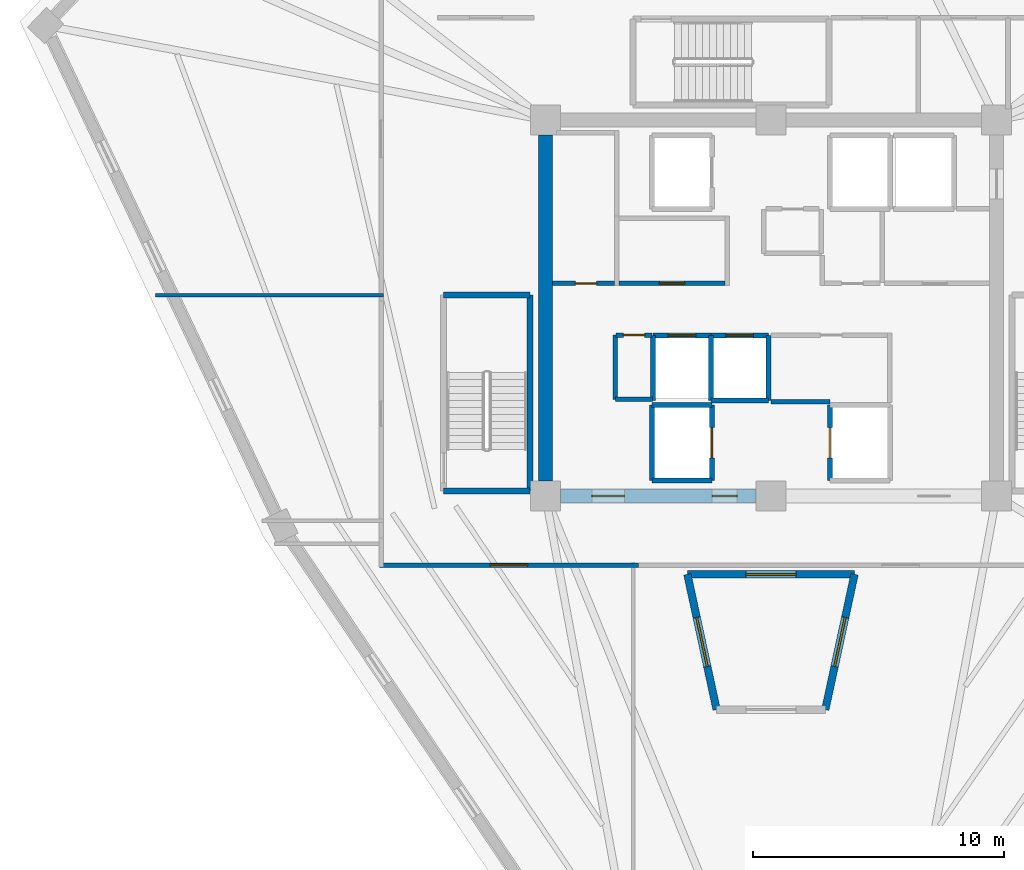
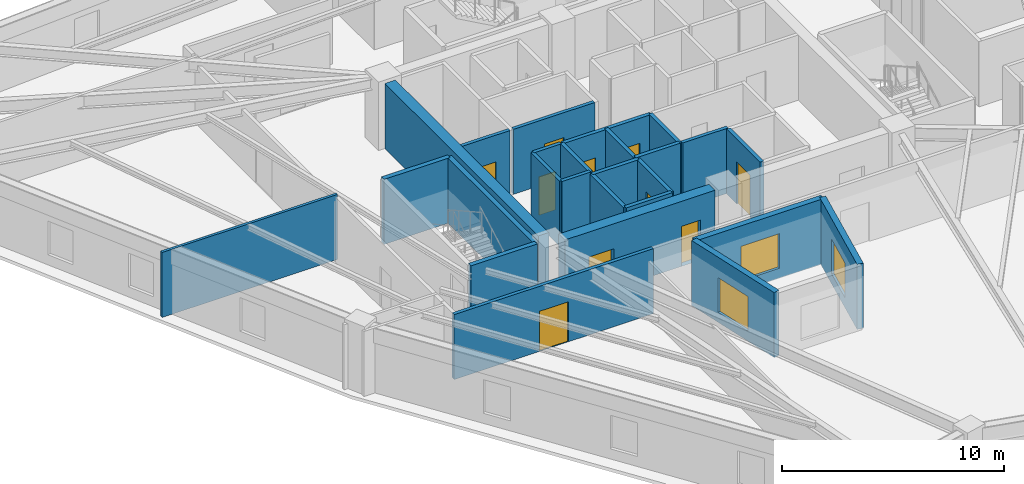
# One storey, part 3 of 10: 27 walls, 10 doors, 3 windows, 13 openings.
"""IFC4 building model written with IfcOpenShell, lengths in metres."""

from ifc_helpers import new_model, si_unit, direction, frame, frame_2d, origin, place, context, subcontext, project, spatial, rectangle, extrude, source, transform, mapped, material, layer, layer_set, type_object, element, fill, save


model = new_model("IFC4")

# Units and contexts
model_context = context("Model", 3, precision=1e-05, world=origin(), true_north=direction((0.0, 1.0)))
body_context = subcontext(model_context, "Body", "Model", "MODEL_VIEW")
ifc_project = project(units=[si_unit("LENGTHUNIT", "METRE"), si_unit("AREAUNIT", "SQUARE_METRE"), si_unit("VOLUMEUNIT", "CUBIC_METRE"), si_unit("PLANEANGLEUNIT", "RADIAN"), si_unit("MASSUNIT", "GRAM", prefix="KILO")], contexts=[model_context])

# Site, building, storey
site_placement = place(None, origin())
site = spatial("IfcSite", under=ifc_project, at=site_placement, CompositionType="ELEMENT")
building_placement = place(site_placement, origin())
building = spatial("IfcBuilding", under=site, at=building_placement, Name="Liaohun Quay Tower", CompositionType="ELEMENT")
storey_placement = place(building_placement, frame((0.0, 0.0, 339.75)))
storey = spatial("IfcBuildingStorey", under=building, at=storey_placement, Name="L88", CompositionType="ELEMENT", Elevation=339.75)

# Wall, opening, window
ifc_material_1 = material(Name="Concrete C50", Category="concrete")
ifc_layer_1 = layer(ifc_material_1, 0.300048828125, Name="Concrete C50", Category="concrete")
ifc_layer_set_1 = layer_set([ifc_layer_1], Name="Concrete C50")
wall_type_1 = type_object("IfcWallType", Name="WAL-ATR-300", PredefinedType="SOLIDWALL", material=ifc_layer_set_1)
wall_1_placement = place(storey_placement, frame((57.83203125, 37.970947265625, 0.0), z_axis=(0.0, 0.0, 1.0), x_axis=(-0.211433211418, 0.977392447848, 0.0)))
wall_1 = element("IfcWall", 1, at=wall_1_placement, inside=storey, type_object=wall_type_1, Name="L88 Atrium Fire Compartment Wall 1", PredefinedType="SOLIDWALL", context=body_context, shape_type="SweptSolid", body=[
    extrude(rectangle(XDim=5.524169921875, YDim=0.300048828125, at=frame_2d((2.76220703125, 0.0))), origin(), (0.0, 0.0, 1.0), 3.570068359375),
])
shared_shape_1 = source(origin(), body_context, "Body", "SweptSolid", [
    extrude(rectangle(XDim=2.0, YDim=1.89990234375, at=frame_2d((1.0, 0.949951171875))), frame((0.0, 0.159912109375, 0.0), z_axis=(0.0, -1.0, 0.0), x_axis=(1.0, 0.0, 0.0)), (0.0, 0.0, 1.0), 0.320068359375),
])
opening_1_placement = place(wall_1_placement, frame((1.761962890625, 0.0, 0.550048828125)))
opening_1 = element("IfcOpeningElement", 2, at=opening_1_placement, cuts=wall_1, Name="Opening W07", PredefinedType="OPENING", context=body_context, shape_type="MappedRepresentation", body=[
    mapped(shared_shape_1, transform((0.0, 0.0, 0.0), x_axis=(1.0, 0.0, 0.0), y_axis=(0.0, 1.0, 0.0), z_axis=(0.0, 0.0, 1.0), scale=1.0)),
])
ifc_material_2 = material(Name="Class A 180-min fire-resistant insulated glazing", Category="glass")
window_type = type_object("IfcWindowType", Name="WIN-ATR-FIR", PartitioningType="DOUBLE_PANEL_VERTICAL", PredefinedType="WINDOW", material=ifc_material_2)
shared_shape_2 = source(origin(), body_context, "Body", "SweptSolid", [
    extrude(rectangle(XDim=2.0, YDim=1.89990234375, at=frame_2d((1.0, 0.949951171875))), frame((0.0, 0.030029296875, 0.0), z_axis=(0.0, -1.0, 0.0), x_axis=(1.0, 0.0, 0.0)), (0.0, 0.0, 1.0), 0.06005859375),
])
window_1_placement = place(opening_1_placement, origin())
window_1 = element("IfcWindow", 3, at=window_1_placement, inside=storey, type_object=window_type, Name="L88 Atrium Fire-Resistant Glazing W07-1", OverallHeight=1.89990234375, OverallWidth=2.0, PartitioningType="DOUBLE_PANEL_VERTICAL", PredefinedType="WINDOW", context=body_context, shape_type="MappedRepresentation", body=[
    mapped(shared_shape_2, transform((0.0, 0.0, 0.0), x_axis=(1.0, 0.0, 0.0), y_axis=(0.0, 1.0, 0.0), z_axis=(0.0, 0.0, 1.0), scale=1.0)),
])
fill(opening_1, window_1)

wall_2_placement = place(storey_placement, frame((56.6640625, 43.3701171875, 0.0), z_axis=(0.0, 0.0, 1.0), x_axis=(1.0, 0.0, 0.0)))
wall_2 = element("IfcWall", 4, at=wall_2_placement, inside=storey, type_object=wall_type_1, Name="L88 Atrium Fire Compartment Wall 2", PredefinedType="SOLIDWALL", context=body_context, shape_type="SweptSolid", body=[
    extrude(rectangle(XDim=6.671875, YDim=0.300048828125, at=frame_2d((3.3359375, 0.0))), origin(), (0.0, 0.0, 1.0), 3.570068359375),
])
opening_2_placement = place(wall_2_placement, frame((2.3359375, 0.0, 0.550048828125)))
opening_2 = element("IfcOpeningElement", 5, at=opening_2_placement, cuts=wall_2, Name="Opening W07", PredefinedType="OPENING", context=body_context, shape_type="MappedRepresentation", body=[
    mapped(shared_shape_1, transform((0.0, 0.0, 0.0), x_axis=(1.0, 0.0, 0.0), y_axis=(0.0, 1.0, 0.0), z_axis=(0.0, 0.0, 1.0), scale=1.0)),
])
window_2_placement = place(opening_2_placement, origin())
window_2 = element("IfcWindow", 6, at=window_2_placement, inside=storey, type_object=window_type, Name="L88 Atrium Fire-Resistant Glazing W07-2", OverallHeight=1.89990234375, OverallWidth=2.0, PartitioningType="DOUBLE_PANEL_VERTICAL", PredefinedType="WINDOW", context=body_context, shape_type="MappedRepresentation", body=[
    mapped(shared_shape_2, transform((0.0, 0.0, 0.0), x_axis=(1.0, 0.0, 0.0), y_axis=(0.0, 1.0, 0.0), z_axis=(0.0, 0.0, 1.0), scale=1.0)),
])
fill(opening_2, window_2)

wall_3_placement = place(storey_placement, frame((63.3359375, 43.3701171875, 0.0), z_axis=(0.0, 0.0, 1.0), x_axis=(-0.211433211418, -0.977392447848, 0.0)))
wall_3 = element("IfcWall", 7, at=wall_3_placement, inside=storey, type_object=wall_type_1, Name="L88 Atrium Fire Compartment Wall 3", PredefinedType="SOLIDWALL", context=body_context, shape_type="SweptSolid", body=[
    extrude(rectangle(XDim=5.524169921875, YDim=0.300048828125, at=frame_2d((2.76220703125, 0.0))), origin(), (0.0, 0.0, 1.0), 3.570068359375),
])
opening_3_placement = place(wall_3_placement, frame((1.761962890625, 0.0, 0.550048828125)))
opening_3 = element("IfcOpeningElement", 8, at=opening_3_placement, cuts=wall_3, Name="Opening W07", PredefinedType="OPENING", context=body_context, shape_type="MappedRepresentation", body=[
    mapped(shared_shape_1, transform((0.0, 0.0, 0.0), x_axis=(1.0, 0.0, 0.0), y_axis=(0.0, 1.0, 0.0), z_axis=(0.0, 0.0, 1.0), scale=1.0)),
])
window_3_placement = place(opening_3_placement, origin())
window_3 = element("IfcWindow", 9, at=window_3_placement, inside=storey, type_object=window_type, Name="L88 Atrium Fire-Resistant Glazing W07-3", OverallHeight=1.89990234375, OverallWidth=2.0, PartitioningType="DOUBLE_PANEL_VERTICAL", PredefinedType="WINDOW", context=body_context, shape_type="MappedRepresentation", body=[
    mapped(shared_shape_2, transform((0.0, 0.0, 0.0), x_axis=(1.0, 0.0, 0.0), y_axis=(0.0, 1.0, 0.0), z_axis=(0.0, 0.0, 1.0), scale=1.0)),
])
fill(opening_3, window_3)

# Wall, openings, doors
ifc_layer_2 = layer(ifc_material_1, 0.550048828125, Name="Concrete C50", Category="concrete")
ifc_layer_set_2 = layer_set([ifc_layer_2], Name="Concrete C50")
wall_type_2 = type_object("IfcWallType", Name="WAL-COR-Z4", PredefinedType="SHEAR", material=ifc_layer_set_2)
wall_4_placement = place(storey_placement, frame((59.39990234375, 46.5, 0.0), z_axis=(0.0, 0.0, 1.0), x_axis=(-1.0, 0.0, 0.0)))
wall_4 = element("IfcWall", 10, at=wall_4_placement, inside=storey, type_object=wall_type_2, Name="L88 Central Core Shear Wall S-W", PredefinedType="SHEAR", context=body_context, shape_type="SweptSolid", body=[
    extrude(rectangle(XDim=7.7998046875, YDim=0.550048828125, at=frame_2d((3.89990234375, 0.0))), origin(), (0.0, 0.0, 1.0), 3.570068359375),
])
shared_shape_3 = source(origin(), body_context, "Body", "SweptSolid", [
    extrude(rectangle(XDim=1.300048828125, YDim=2.199951171875, at=frame_2d((0.64990234375, 1.10009765625))), frame((0.0, 0.284912109375, 0.0), z_axis=(0.0, -1.0, 0.0), x_axis=(1.0, 0.0, 0.0)), (0.0, 0.0, 1.0), 0.570068359375),
])
opening_4_placement = place(wall_4_placement, frame((5.25, 0.0, 0.0)))
opening_4 = element("IfcOpeningElement", 11, at=opening_4_placement, cuts=wall_4, Name="Opening FD1", PredefinedType="OPENING", context=body_context, shape_type="MappedRepresentation", body=[
    mapped(shared_shape_3, transform((0.0, 0.0, 0.0), x_axis=(1.0, 0.0, 0.0), y_axis=(0.0, 1.0, 0.0), z_axis=(0.0, 0.0, 1.0), scale=1.0)),
])
shared_shape_4 = source(origin(), body_context, "Body", "SweptSolid", [
    extrude(rectangle(XDim=1.0, YDim=2.199951171875, at=frame_2d((0.5, 1.10009765625))), frame((0.0, 0.284912109375, 0.0), z_axis=(0.0, -1.0, 0.0), x_axis=(1.0, 0.0, 0.0)), (0.0, 0.0, 1.0), 0.570068359375),
])
opening_5_placement = place(wall_4_placement, frame((0.75, 0.0, 0.0)))
opening_5 = element("IfcOpeningElement", 12, at=opening_5_placement, cuts=wall_4, Name="Opening FD2", PredefinedType="OPENING", context=body_context, shape_type="MappedRepresentation", body=[
    mapped(shared_shape_4, transform((0.0, 0.0, 0.0), x_axis=(1.0, 0.0, 0.0), y_axis=(0.0, 1.0, 0.0), z_axis=(0.0, 0.0, 1.0), scale=1.0)),
])
ifc_material_3 = material(Name="Galvanised steel smokeproof fire door", Category="steel")
door_type_1 = type_object("IfcDoorType", Name="DOR-FFL-1300", OperationType="NOTDEFINED", PredefinedType="DOOR", material=ifc_material_3)
shared_shape_5 = source(origin(), body_context, "Body", "SweptSolid", [
    extrude(rectangle(XDim=1.300048828125, YDim=2.199951171875, at=frame_2d((0.64990234375, 1.10009765625))), frame((0.0, 0.02490234375, 0.0), z_axis=(0.0, -1.0, 0.0), x_axis=(1.0, 0.0, 0.0)), (0.0, 0.0, 1.0), 0.050048828125),
])
door_1_placement = place(opening_4_placement, origin())
door_1 = element("IfcDoor", 13, at=door_1_placement, inside=storey, type_object=door_type_1, Name="L88 West Core Lift Lobby Smokeproof Door", OperationType="SINGLE_SWING_RIGHT", OverallHeight=2.199951171875, OverallWidth=1.300048828125, PredefinedType="DOOR", context=body_context, shape_type="MappedRepresentation", body=[
    mapped(shared_shape_5, transform((0.0, 0.0, 0.0), x_axis=(1.0, 0.0, 0.0), y_axis=(0.0, 1.0, 0.0), z_axis=(0.0, 0.0, 1.0), scale=1.0)),
])
fill(opening_4, door_1)
ifc_material_4 = material(Name="Galvanised steel smokeproof lobby fire door", Category="steel")
door_type_2 = type_object("IfcDoorType", Name="DOR-FFL-1000", OperationType="NOTDEFINED", PredefinedType="DOOR", material=ifc_material_4)
shared_shape_6 = source(origin(), body_context, "Body", "SweptSolid", [
    extrude(rectangle(XDim=1.0, YDim=2.199951171875, at=frame_2d((0.5, 1.10009765625))), frame((0.0, 0.02490234375, 0.0), z_axis=(0.0, -1.0, 0.0), x_axis=(1.0, 0.0, 0.0)), (0.0, 0.0, 1.0), 0.050048828125),
])
door_2_placement = place(opening_5_placement, origin())
door_2 = element("IfcDoor", 14, at=door_2_placement, inside=storey, type_object=door_type_2, Name="L88 South Firefighting Lobby Smokeproof Door", OperationType="SINGLE_SWING_LEFT", OverallHeight=2.199951171875, OverallWidth=1.0, PredefinedType="DOOR", context=body_context, shape_type="MappedRepresentation", body=[
    mapped(shared_shape_6, transform((0.0, 0.0, 0.0), x_axis=(1.0, 0.0, 0.0), y_axis=(0.0, 1.0, 0.0), z_axis=(0.0, 0.0, 1.0), scale=1.0)),
])
fill(opening_5, door_2)

# Wall
wall_5_placement = place(storey_placement, frame((51.0, 47.10009765625, 0.0), z_axis=(0.0, 0.0, 1.0), x_axis=(0.0, 1.0, 0.0)))
element("IfcWall", 15, at=wall_5_placement, inside=storey, type_object=wall_type_2, Name="L88 Central Core Shear Wall W", PredefinedType="SHEAR", context=body_context, shape_type="SweptSolid", body=[
    extrude(rectangle(XDim=13.7998046875, YDim=0.550048828125, at=frame_2d((6.89990234375, 0.0))), origin(), (0.0, 0.0, 1.0), 3.570068359375),
])

# Wall, opening, door
ifc_material_5 = material(Name="Autoclaved aerated concrete blockwork", Category="masonry")
ifc_layer_3 = layer(ifc_material_5, 0.179931640625, Name="Autoclaved aerated concrete blockwork", Category="masonry")
ifc_layer_set_3 = layer_set([ifc_layer_3], Name="Autoclaved aerated concrete blockwork")
wall_type_3 = type_object("IfcWallType", Name="WAL-PRT-COR", PredefinedType="PARTITIONING", material=ifc_layer_set_3)
wall_6_placement = place(storey_placement, frame((53.93994140625, 54.97998046875, 0.0), z_axis=(0.0, 0.0, 1.0), x_axis=(1.0, 0.0, 0.0)))
wall_6 = element("IfcWall", 16, at=wall_6_placement, inside=storey, type_object=wall_type_3, Name="L88 Interior Partition Wall 002", PredefinedType="PARTITIONING", context=body_context, shape_type="SweptSolid", body=[
    extrude(rectangle(XDim=4.219970703125, YDim=0.179931640625, at=frame_2d((2.10986328125, 0.0))), origin(), (0.0, 0.0, 1.0), 3.570068359375),
])
shared_shape_7 = source(origin(), body_context, "Body", "SweptSolid", [
    extrude(rectangle(XDim=1.0, YDim=2.199951171875, at=frame_2d((0.5, 1.10009765625))), frame((0.0, 0.099853515625, 0.0), z_axis=(0.0, -1.0, 0.0), x_axis=(1.0, 0.0, 0.0)), (0.0, 0.0, 1.0), 0.199951171875),
])
opening_6_placement = place(wall_6_placement, frame((1.610107421875, 0.0, 0.0)))
opening_6 = element("IfcOpeningElement", 17, at=opening_6_placement, cuts=wall_6, Name="Opening OD1", PredefinedType="OPENING", context=body_context, shape_type="MappedRepresentation", body=[
    mapped(shared_shape_7, transform((0.0, 0.0, 0.0), x_axis=(1.0, 0.0, 0.0), y_axis=(0.0, 1.0, 0.0), z_axis=(0.0, 0.0, 1.0), scale=1.0)),
])
ifc_material_6 = material(Name="Solid-core oak veneer timber leaf in steel frame", Category="steel")
door_type_3 = type_object("IfcDoorType", Name="DOR-OFF-1000", OperationType="NOTDEFINED", PredefinedType="DOOR", material=ifc_material_6)
door_3_placement = place(opening_6_placement, origin())
door_3 = element("IfcDoor", 18, at=door_3_placement, inside=storey, type_object=door_type_3, Name="L88 Core Staff Pantry and Tea Room Door", OperationType="SINGLE_SWING_LEFT", OverallHeight=2.199951171875, OverallWidth=1.0, PredefinedType="DOOR", context=body_context, shape_type="MappedRepresentation", body=[
    mapped(shared_shape_6, transform((0.0, 0.0, 0.0), x_axis=(1.0, 0.0, 0.0), y_axis=(0.0, 1.0, 0.0), z_axis=(0.0, 0.0, 1.0), scale=1.0)),
])
fill(opening_6, door_3)

wall_7_placement = place(storey_placement, frame((51.27490234375, 54.97998046875, 0.0), z_axis=(0.0, 0.0, 1.0), x_axis=(1.0, 0.0, 0.0)))
wall_7 = element("IfcWall", 19, at=wall_7_placement, inside=storey, type_object=wall_type_3, Name="L88 Interior Partition Wall 003", PredefinedType="PARTITIONING", context=body_context, shape_type="SweptSolid", body=[
    extrude(rectangle(XDim=2.485107421875, YDim=0.179931640625, at=frame_2d((1.24267578125, 0.0))), origin(), (0.0, 0.0, 1.0), 3.570068359375),
])
shared_shape_8 = source(origin(), body_context, "Body", "SweptSolid", [
    extrude(rectangle(XDim=0.85009765625, YDim=2.10009765625, at=frame_2d((0.425048828125, 1.050048828125))), frame((0.0, 0.099853515625, 0.0), z_axis=(0.0, -1.0, 0.0), x_axis=(1.0, 0.0, 0.0)), (0.0, 0.0, 1.0), 0.199951171875),
])
opening_7_placement = place(wall_7_placement, frame((0.9150390625, 0.0, 0.0)))
opening_7 = element("IfcOpeningElement", 20, at=opening_7_placement, cuts=wall_7, Name="Opening AD1", PredefinedType="OPENING", context=body_context, shape_type="MappedRepresentation", body=[
    mapped(shared_shape_8, transform((0.0, 0.0, 0.0), x_axis=(1.0, 0.0, 0.0), y_axis=(0.0, 1.0, 0.0), z_axis=(0.0, 0.0, 1.0), scale=1.0)),
])
ifc_material_7 = material(Name="Steel riser inspection fire door", Category="steel")
door_type_4 = type_object("IfcDoorType", Name="DOR-SHF-850", OperationType="NOTDEFINED", PredefinedType="DOOR", material=ifc_material_7)
shared_shape_9 = source(origin(), body_context, "Body", "SweptSolid", [
    extrude(rectangle(XDim=0.85009765625, YDim=2.10009765625, at=frame_2d((0.425048828125, 1.050048828125))), frame((0.0, 0.02490234375, 0.0), z_axis=(0.0, -1.0, 0.0), x_axis=(1.0, 0.0, 0.0)), (0.0, 0.0, 1.0), 0.050048828125),
])
door_4_placement = place(opening_7_placement, origin())
door_4 = element("IfcDoor", 21, at=door_4_placement, inside=storey, type_object=door_type_4, Name="L88 Core High-Zone Archive and Riser Store Door", OperationType="SINGLE_SWING_RIGHT", OverallHeight=2.10009765625, OverallWidth=0.85009765625, PredefinedType="DOOR", context=body_context, shape_type="MappedRepresentation", body=[
    mapped(shared_shape_9, transform((0.0, 0.0, 0.0), x_axis=(1.0, 0.0, 0.0), y_axis=(0.0, 1.0, 0.0), z_axis=(0.0, 0.0, 1.0), scale=1.0)),
])
fill(opening_7, door_4)

wall_8_placement = place(storey_placement, frame((53.820068359375, 52.919921875, 0.0), z_axis=(0.0, 0.0, 1.0), x_axis=(1.0, 0.0, 0.0)))
wall_8 = element("IfcWall", 22, at=wall_8_placement, inside=storey, type_object=wall_type_3, Name="L88 Interior Partition Wall 007", PredefinedType="PARTITIONING", context=body_context, shape_type="SweptSolid", body=[
    extrude(rectangle(XDim=1.429931640625, YDim=0.179931640625, at=frame_2d((0.71484375, 0.0))), origin(), (0.0, 0.0, 1.0), 3.570068359375),
])
opening_8_placement = place(wall_8_placement, frame((0.2900390625, 0.0, 0.0)))
opening_8 = element("IfcOpeningElement", 23, at=opening_8_placement, cuts=wall_8, Name="Opening AD1", PredefinedType="OPENING", context=body_context, shape_type="MappedRepresentation", body=[
    mapped(shared_shape_8, transform((0.0, 0.0, 0.0), x_axis=(1.0, 0.0, 0.0), y_axis=(0.0, 1.0, 0.0), z_axis=(0.0, 0.0, 1.0), scale=1.0)),
])
door_5_placement = place(opening_8_placement, origin())
door_5 = element("IfcDoor", 24, at=door_5_placement, inside=storey, type_object=door_type_4, Name="L88 Mechanical Smoke Duct Room Door", OperationType="SINGLE_SWING_RIGHT", OverallHeight=2.10009765625, OverallWidth=0.85009765625, PredefinedType="DOOR", context=body_context, shape_type="MappedRepresentation", body=[
    mapped(shared_shape_9, transform((0.0, 0.0, 0.0), x_axis=(1.0, 0.0, 0.0), y_axis=(0.0, 1.0, 0.0), z_axis=(0.0, 0.0, 1.0), scale=1.0)),
])
fill(opening_8, door_5)

wall_9_placement = place(storey_placement, frame((54.715087890625, 43.739990234375, 0.0), z_axis=(0.0, 0.0, 1.0), x_axis=(-1.0, 0.0, 0.0)))
wall_9 = element("IfcWall", 25, at=wall_9_placement, inside=storey, type_object=wall_type_3, Name="L88 Interior Partition Wall 021", PredefinedType="PARTITIONING", context=body_context, shape_type="SweptSolid", body=[
    extrude(rectangle(XDim=10.344970703125, YDim=0.179931640625, at=frame_2d((5.17236328125, 0.0))), origin(), (0.0, 0.0, 1.0), 3.570068359375),
])
shared_shape_10 = source(origin(), body_context, "Body", "SweptSolid", [
    extrude(rectangle(XDim=1.5, YDim=2.199951171875, at=frame_2d((0.75, 1.10009765625))), frame((0.0, 0.099853515625, 0.0), z_axis=(0.0, -1.0, 0.0), x_axis=(1.0, 0.0, 0.0)), (0.0, 0.0, 1.0), 0.199951171875),
])
opening_9_placement = place(wall_9_placement, frame((4.423095703125, 0.0, 0.0)))
opening_9 = element("IfcOpeningElement", 26, at=opening_9_placement, cuts=wall_9, Name="Opening OD2", PredefinedType="OPENING", context=body_context, shape_type="MappedRepresentation", body=[
    mapped(shared_shape_10, transform((0.0, 0.0, 0.0), x_axis=(1.0, 0.0, 0.0), y_axis=(0.0, 1.0, 0.0), z_axis=(0.0, 0.0, 1.0), scale=1.0)),
])
ifc_material_8 = material(Name="Acoustic oak veneer double door")
door_type_5 = type_object("IfcDoorType", Name="DOR-OFF-1500", OperationType="DOUBLE_DOOR_SINGLE_SWING", PredefinedType="DOOR", material=ifc_material_8)
shared_shape_11 = source(origin(), body_context, "Body", "SweptSolid", [
    extrude(rectangle(XDim=1.5, YDim=2.199951171875, at=frame_2d((0.75, 1.10009765625))), frame((0.0, 0.02490234375, 0.0), z_axis=(0.0, -1.0, 0.0), x_axis=(1.0, 0.0, 0.0)), (0.0, 0.0, 1.0), 0.050048828125),
])
door_6_placement = place(opening_9_placement, origin())
door_6 = element("IfcDoor", 27, at=door_6_placement, inside=storey, type_object=door_type_5, Name="L88 Client Collaboration Lounge 07 Door", OperationType="DOUBLE_DOOR_SINGLE_SWING", OverallHeight=2.199951171875, OverallWidth=1.5, PredefinedType="DOOR", context=body_context, shape_type="MappedRepresentation", body=[
    mapped(shared_shape_11, transform((0.0, 0.0, 0.0), x_axis=(1.0, 0.0, 0.0), y_axis=(0.0, 1.0, 0.0), z_axis=(0.0, 0.0, 1.0), scale=1.0)),
])
fill(opening_9, door_6)

# Walls
wall_10_placement = place(storey_placement, frame((53.7900390625, 50.35009765625, 0.0), z_axis=(0.0, 0.0, 1.0), x_axis=(0.0, 1.0, 0.0)))
element("IfcWall", 28, at=wall_10_placement, inside=storey, type_object=wall_type_3, Name="L88 Interior Partition Wall 030", PredefinedType="PARTITIONING", context=body_context, shape_type="SweptSolid", body=[
    extrude(rectangle(XDim=2.56982421875, YDim=0.179931640625, at=frame_2d((1.284912109375, 0.0))), origin(), (0.0, 0.0, 1.0), 3.570068359375),
])
wall_11_placement = place(storey_placement, frame((53.7900390625, 50.35009765625, 0.0), z_axis=(0.0, 0.0, 1.0), x_axis=(1.0, 0.0, 0.0)))
element("IfcWall", 29, at=wall_11_placement, inside=storey, type_object=wall_type_3, Name="L88 Interior Partition Wall 031", PredefinedType="PARTITIONING", context=body_context, shape_type="SweptSolid", body=[
    extrude(rectangle(XDim=1.489990234375, YDim=0.179931640625, at=frame_2d((0.7451171875, 0.0))), origin(), (0.0, 0.0, 1.0), 3.570068359375),
])
wall_12_placement = place(storey_placement, frame((60.0, 50.25, 0.0), z_axis=(0.0, 0.0, 1.0), x_axis=(1.0, 0.0, 0.0)))
element("IfcWall", 30, at=wall_12_placement, inside=storey, type_object=wall_type_3, Name="L88 Interior Partition Wall 059", PredefinedType="PARTITIONING", context=body_context, shape_type="SweptSolid", body=[
    extrude(rectangle(XDim=2.35009765625, YDim=0.179931640625, at=frame_2d((1.175048828125, 0.0))), origin(), (0.0, 0.0, 1.0), 3.570068359375),
])
ifc_material_9 = material(Name="Gypsum board on twin steel studs", Category="steel")
ifc_layer_4 = layer(ifc_material_9, 0.139892578125, Name="Gypsum board on twin steel studs", Category="steel")
ifc_layer_set_4 = layer_set([ifc_layer_4], Name="Gypsum board on twin steel studs")
wall_type_4 = type_object("IfcWallType", Name="WAL-PRT-OFF", PredefinedType="PARTITIONING", material=ifc_layer_set_4)
wall_13_placement = place(storey_placement, frame((44.5400390625, 54.5, 0.0), z_axis=(0.0, 0.0, 1.0), x_axis=(-1.0, 0.0, 0.0)))
element("IfcWall", 31, at=wall_13_placement, inside=storey, type_object=wall_type_4, Name="L88 Interior Partition Wall 050", PredefinedType="PARTITIONING", context=body_context, shape_type="SweptSolid", body=[
    extrude(rectangle(XDim=9.10693359375, YDim=0.139892578125, at=frame_2d((4.553466796875, 0.0))), origin(), (0.0, 0.0, 1.0), 3.570068359375),
])
ifc_layer_5 = layer(ifc_material_1, 0.239990234375, Name="Concrete C50", Category="concrete")
ifc_layer_set_5 = layer_set([ifc_layer_5], Name="Concrete C50")
wall_type_5 = type_object("IfcWallType", Name="WAL-SHF-200", PredefinedType="SOLIDWALL", material=ifc_layer_set_5)
wall_14_placement = place(storey_placement, frame((46.93994140625, 46.699951171875, 0.0), z_axis=(0.0, 0.0, 1.0), x_axis=(1.0, 0.0, 0.0)))
element("IfcWall", 32, at=wall_14_placement, inside=storey, type_object=wall_type_5, Name="L88 Stairwell ST-1 Structural Core Wall S", PredefinedType="SOLIDWALL", context=body_context, shape_type="SweptSolid", body=[
    extrude(rectangle(XDim=3.43994140625, YDim=0.239990234375, at=frame_2d((1.719970703125, 0.0))), origin(), (0.0, 0.0, 1.0), 3.570068359375),
])
wall_15_placement = place(storey_placement, frame((50.3798828125, 46.699951171875, 0.0), z_axis=(0.0, 0.0, 1.0), x_axis=(0.0, 1.0, 0.0)))
element("IfcWall", 33, at=wall_15_placement, inside=storey, type_object=wall_type_5, Name="L88 Stairwell ST-1 Structural Core Wall E", PredefinedType="SOLIDWALL", context=body_context, shape_type="SweptSolid", body=[
    extrude(rectangle(XDim=7.820068359375, YDim=0.239990234375, at=frame_2d((3.91015625, 0.0))), origin(), (0.0, 0.0, 1.0), 3.570068359375),
])
wall_16_placement = place(storey_placement, frame((50.3798828125, 54.52001953125, 0.0), z_axis=(0.0, 0.0, 1.0), x_axis=(-1.0, 0.0, 0.0)))
element("IfcWall", 34, at=wall_16_placement, inside=storey, type_object=wall_type_5, Name="L88 Stairwell ST-1 Structural Core Wall N", PredefinedType="SOLIDWALL", context=body_context, shape_type="SweptSolid", body=[
    extrude(rectangle(XDim=3.43994140625, YDim=0.239990234375, at=frame_2d((1.719970703125, 0.0))), origin(), (0.0, 0.0, 1.0), 3.570068359375),
])
wall_17_placement = place(storey_placement, frame((55.25, 47.1201171875, 0.0), z_axis=(0.0, 0.0, 1.0), x_axis=(1.0, 0.0, 0.0)))
element("IfcWall", 35, at=wall_17_placement, inside=storey, type_object=wall_type_5, Name="L88 Lift FF-01 Hoistway Wall S", PredefinedType="SOLIDWALL", context=body_context, shape_type="SweptSolid", body=[
    extrude(rectangle(XDim=2.39990234375, YDim=0.199951171875, at=frame_2d((1.199951171875, 0.0))), origin(), (0.0, 0.0, 1.0), 3.570068359375),
])

# Wall, opening, door
wall_18_placement = place(storey_placement, frame((57.64990234375, 47.1201171875, 0.0), z_axis=(0.0, 0.0, 1.0), x_axis=(0.0, 1.0, 0.0)))
wall_18 = element("IfcWall", 36, at=wall_18_placement, inside=storey, type_object=wall_type_5, Name="L88 Lift FF-01 Hoistway Wall E", PredefinedType="SOLIDWALL", context=body_context, shape_type="SweptSolid", body=[
    extrude(rectangle(XDim=3.0, YDim=0.199951171875, at=frame_2d((1.5, 0.0))), origin(), (0.0, 0.0, 1.0), 3.570068359375),
])
shared_shape_12 = source(origin(), body_context, "Body", "SweptSolid", [
    extrude(rectangle(XDim=1.199951171875, YDim=2.300048828125, at=frame_2d((0.60009765625, 1.14990234375))), frame((0.0, 0.10986328125, 0.0), z_axis=(0.0, -1.0, 0.0), x_axis=(1.0, 0.0, 0.0)), (0.0, 0.0, 1.0), 0.219970703125),
])
opening_10_placement = place(wall_18_placement, frame((0.89990234375, 0.0, 0.0)))
opening_10 = element("IfcOpeningElement", 37, at=opening_10_placement, cuts=wall_18, Name="Opening LD2", PredefinedType="OPENING", context=body_context, shape_type="MappedRepresentation", body=[
    mapped(shared_shape_12, transform((0.0, 0.0, 0.0), x_axis=(1.0, 0.0, 0.0), y_axis=(0.0, 1.0, 0.0), z_axis=(0.0, 0.0, 1.0), scale=1.0)),
])
ifc_material_10 = material(Name="Brushed stainless steel stretcher landing door", Category="steel")
door_type_6 = type_object("IfcDoorType", Name="DOR-LFT-1200", OperationType="SLIDING_TO_LEFT", PredefinedType="DOOR", material=ifc_material_10)
shared_shape_13 = source(origin(), body_context, "Body", "SweptSolid", [
    extrude(rectangle(XDim=1.199951171875, YDim=2.300048828125, at=frame_2d((0.60009765625, 1.14990234375))), frame((0.0, 0.02490234375, 0.0), z_axis=(0.0, -1.0, 0.0), x_axis=(1.0, 0.0, 0.0)), (0.0, 0.0, 1.0), 0.050048828125),
])
door_7_placement = place(opening_10_placement, origin())
door_7 = element("IfcDoor", 38, at=door_7_placement, inside=storey, type_object=door_type_6, Name="L88 Lift FF-01 Sliding Landing Door", OperationType="SLIDING_TO_LEFT", OverallHeight=2.300048828125, OverallWidth=1.199951171875, PredefinedType="DOOR", context=body_context, shape_type="MappedRepresentation", body=[
    mapped(shared_shape_13, transform((0.0, 0.0, 0.0), x_axis=(1.0, 0.0, 0.0), y_axis=(0.0, 1.0, 0.0), z_axis=(0.0, 0.0, 1.0), scale=1.0)),
])
fill(opening_10, door_7)

# Walls
wall_19_placement = place(storey_placement, frame((57.64990234375, 50.1201171875, 0.0), z_axis=(0.0, 0.0, 1.0), x_axis=(-1.0, 0.0, 0.0)))
element("IfcWall", 39, at=wall_19_placement, inside=storey, type_object=wall_type_5, Name="L88 Lift FF-01 Hoistway Wall N", PredefinedType="SOLIDWALL", context=body_context, shape_type="SweptSolid", body=[
    extrude(rectangle(XDim=2.39990234375, YDim=0.199951171875, at=frame_2d((1.199951171875, 0.0))), origin(), (0.0, 0.0, 1.0), 3.570068359375),
])
wall_20_placement = place(storey_placement, frame((55.25, 50.1201171875, 0.0), z_axis=(0.0, 0.0, 1.0), x_axis=(0.0, -1.0, 0.0)))
element("IfcWall", 40, at=wall_20_placement, inside=storey, type_object=wall_type_5, Name="L88 Lift FF-01 Hoistway Wall W", PredefinedType="SOLIDWALL", context=body_context, shape_type="SweptSolid", body=[
    extrude(rectangle(XDim=3.0, YDim=0.199951171875, at=frame_2d((1.5, 0.0))), origin(), (0.0, 0.0, 1.0), 3.570068359375),
])

# Wall, opening, door
wall_21_placement = place(storey_placement, frame((62.35009765625, 50.1201171875, 0.0), z_axis=(0.0, 0.0, 1.0), x_axis=(0.0, -1.0, 0.0)))
wall_21 = element("IfcWall", 41, at=wall_21_placement, inside=storey, type_object=wall_type_5, Name="L88 Lift FF-02 Hoistway Wall W", PredefinedType="SOLIDWALL", context=body_context, shape_type="SweptSolid", body=[
    extrude(rectangle(XDim=3.0, YDim=0.199951171875, at=frame_2d((1.5, 0.0))), origin(), (0.0, 0.0, 1.0), 3.570068359375),
])
opening_11_placement = place(wall_21_placement, frame((0.89990234375, 0.0, 0.0)))
opening_11 = element("IfcOpeningElement", 42, at=opening_11_placement, cuts=wall_21, Name="Opening LD2", PredefinedType="OPENING", context=body_context, shape_type="MappedRepresentation", body=[
    mapped(shared_shape_12, transform((0.0, 0.0, 0.0), x_axis=(1.0, 0.0, 0.0), y_axis=(0.0, 1.0, 0.0), z_axis=(0.0, 0.0, 1.0), scale=1.0)),
])
door_8_placement = place(opening_11_placement, origin())
door_8 = element("IfcDoor", 43, at=door_8_placement, inside=storey, type_object=door_type_6, Name="L88 Lift FF-02 Sliding Landing Door", OperationType="SLIDING_TO_LEFT", OverallHeight=2.300048828125, OverallWidth=1.199951171875, PredefinedType="DOOR", context=body_context, shape_type="MappedRepresentation", body=[
    mapped(shared_shape_13, transform((0.0, 0.0, 0.0), x_axis=(1.0, 0.0, 0.0), y_axis=(0.0, 1.0, 0.0), z_axis=(0.0, 0.0, 1.0), scale=1.0)),
])
fill(opening_11, door_8)

# Wall
wall_22_placement = place(storey_placement, frame((57.60009765625, 50.300048828125, 0.0), z_axis=(0.0, 0.0, 1.0), x_axis=(0.0, 1.0, 0.0)))
element("IfcWall", 44, at=wall_22_placement, inside=storey, type_object=wall_type_5, Name="L88 Lift PL-4A Hoistway Wall E", PredefinedType="SOLIDWALL", context=body_context, shape_type="SweptSolid", body=[
    extrude(rectangle(XDim=2.599853515625, YDim=0.199951171875, at=frame_2d((1.2998046875, 0.0))), origin(), (0.0, 0.0, 1.0), 3.570068359375),
])

# Wall, opening, door
wall_23_placement = place(storey_placement, frame((57.60009765625, 52.89990234375, 0.0), z_axis=(0.0, 0.0, 1.0), x_axis=(-1.0, 0.0, 0.0)))
wall_23 = element("IfcWall", 45, at=wall_23_placement, inside=storey, type_object=wall_type_5, Name="L88 Lift PL-4A Hoistway Wall N", PredefinedType="SOLIDWALL", context=body_context, shape_type="SweptSolid", body=[
    extrude(rectangle(XDim=2.300048828125, YDim=0.199951171875, at=frame_2d((1.14990234375, 0.0))), origin(), (0.0, 0.0, 1.0), 3.570068359375),
])
shared_shape_14 = source(origin(), body_context, "Body", "SweptSolid", [
    extrude(rectangle(XDim=1.10009765625, YDim=2.199951171875, at=frame_2d((0.550048828125, 1.10009765625))), frame((0.0, 0.10986328125, 0.0), z_axis=(0.0, -1.0, 0.0), x_axis=(1.0, 0.0, 0.0)), (0.0, 0.0, 1.0), 0.219970703125),
])
opening_12_placement = place(wall_23_placement, frame((0.60009765625, 0.0, 0.0)))
opening_12 = element("IfcOpeningElement", 46, at=opening_12_placement, cuts=wall_23, Name="Opening LD1", PredefinedType="OPENING", context=body_context, shape_type="MappedRepresentation", body=[
    mapped(shared_shape_14, transform((0.0, 0.0, 0.0), x_axis=(1.0, 0.0, 0.0), y_axis=(0.0, 1.0, 0.0), z_axis=(0.0, 0.0, 1.0), scale=1.0)),
])
ifc_material_11 = material(Name="Brushed stainless steel landing door", Category="steel")
door_type_7 = type_object("IfcDoorType", Name="DOR-LFT-1100", OperationType="SLIDING_TO_LEFT", PredefinedType="DOOR", material=ifc_material_11)
shared_shape_15 = source(origin(), body_context, "Body", "SweptSolid", [
    extrude(rectangle(XDim=1.10009765625, YDim=2.199951171875, at=frame_2d((0.550048828125, 1.10009765625))), frame((0.0, 0.02490234375, 0.0), z_axis=(0.0, -1.0, 0.0), x_axis=(1.0, 0.0, 0.0)), (0.0, 0.0, 1.0), 0.050048828125),
])
door_9_placement = place(opening_12_placement, origin())
door_9 = element("IfcDoor", 47, at=door_9_placement, inside=storey, type_object=door_type_7, Name="L88 Lift PL-4A Sliding Landing Door", OperationType="SLIDING_TO_LEFT", OverallHeight=2.199951171875, OverallWidth=1.10009765625, PredefinedType="DOOR", context=body_context, shape_type="MappedRepresentation", body=[
    mapped(shared_shape_15, transform((0.0, 0.0, 0.0), x_axis=(1.0, 0.0, 0.0), y_axis=(0.0, 1.0, 0.0), z_axis=(0.0, 0.0, 1.0), scale=1.0)),
])
fill(opening_12, door_9)

# Walls
wall_24_placement = place(storey_placement, frame((55.300048828125, 52.89990234375, 0.0), z_axis=(0.0, 0.0, 1.0), x_axis=(0.0, -1.0, 0.0)))
element("IfcWall", 48, at=wall_24_placement, inside=storey, type_object=wall_type_5, Name="L88 Lift PL-4A Hoistway Wall W", PredefinedType="SOLIDWALL", context=body_context, shape_type="SweptSolid", body=[
    extrude(rectangle(XDim=2.599853515625, YDim=0.199951171875, at=frame_2d((1.2998046875, 0.0))), origin(), (0.0, 0.0, 1.0), 3.570068359375),
])
wall_25_placement = place(storey_placement, frame((57.60009765625, 50.300048828125, 0.0), z_axis=(0.0, 0.0, 1.0), x_axis=(1.0, 0.0, 0.0)))
element("IfcWall", 49, at=wall_25_placement, inside=storey, type_object=wall_type_5, Name="L88 Lift PL-4B Hoistway Wall S", PredefinedType="SOLIDWALL", context=body_context, shape_type="SweptSolid", body=[
    extrude(rectangle(XDim=2.2998046875, YDim=0.199951171875, at=frame_2d((1.14990234375, 0.0))), origin(), (0.0, 0.0, 1.0), 3.570068359375),
])
wall_26_placement = place(storey_placement, frame((59.89990234375, 50.300048828125, 0.0), z_axis=(0.0, 0.0, 1.0), x_axis=(0.0, 1.0, 0.0)))
element("IfcWall", 50, at=wall_26_placement, inside=storey, type_object=wall_type_5, Name="L88 Lift PL-4B Hoistway Wall E", PredefinedType="SOLIDWALL", context=body_context, shape_type="SweptSolid", body=[
    extrude(rectangle(XDim=2.599853515625, YDim=0.199951171875, at=frame_2d((1.2998046875, 0.0))), origin(), (0.0, 0.0, 1.0), 3.570068359375),
])

# Wall, opening, door
wall_27_placement = place(storey_placement, frame((59.89990234375, 52.89990234375, 0.0), z_axis=(0.0, 0.0, 1.0), x_axis=(-1.0, 0.0, 0.0)))
wall_27 = element("IfcWall", 51, at=wall_27_placement, inside=storey, type_object=wall_type_5, Name="L88 Lift PL-4B Hoistway Wall N", PredefinedType="SOLIDWALL", context=body_context, shape_type="SweptSolid", body=[
    extrude(rectangle(XDim=2.2998046875, YDim=0.199951171875, at=frame_2d((1.14990234375, 0.0))), origin(), (0.0, 0.0, 1.0), 3.570068359375),
])
opening_13_placement = place(wall_27_placement, frame((0.60009765625, 0.0, 0.0)))
opening_13 = element("IfcOpeningElement", 52, at=opening_13_placement, cuts=wall_27, Name="Opening LD1", PredefinedType="OPENING", context=body_context, shape_type="MappedRepresentation", body=[
    mapped(shared_shape_14, transform((0.0, 0.0, 0.0), x_axis=(1.0, 0.0, 0.0), y_axis=(0.0, 1.0, 0.0), z_axis=(0.0, 0.0, 1.0), scale=1.0)),
])
door_10_placement = place(opening_13_placement, origin())
door_10 = element("IfcDoor", 53, at=door_10_placement, inside=storey, type_object=door_type_7, Name="L88 Lift PL-4B Sliding Landing Door", OperationType="SLIDING_TO_LEFT", OverallHeight=2.199951171875, OverallWidth=1.10009765625, PredefinedType="DOOR", context=body_context, shape_type="MappedRepresentation", body=[
    mapped(shared_shape_15, transform((0.0, 0.0, 0.0), x_axis=(1.0, 0.0, 0.0), y_axis=(0.0, 1.0, 0.0), z_axis=(0.0, 0.0, 1.0), scale=1.0)),
])
fill(opening_13, door_10)

save(model, "model.ifc")
